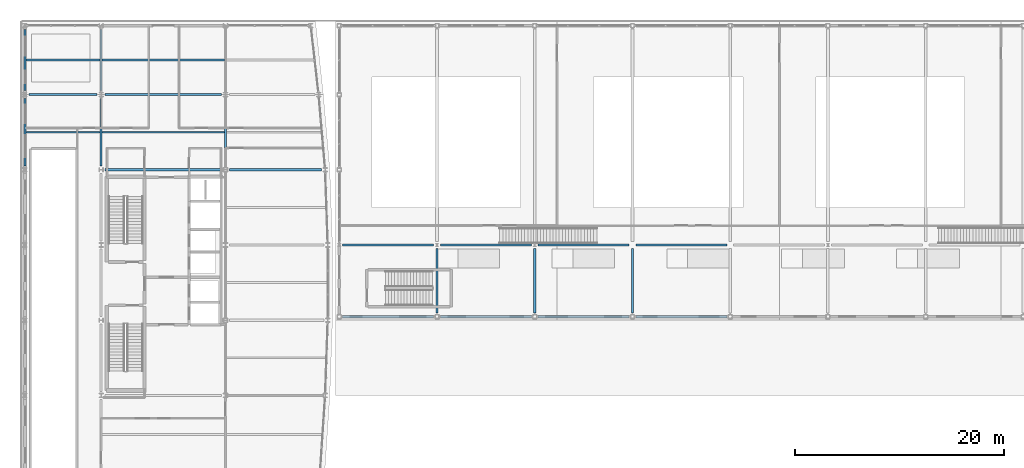
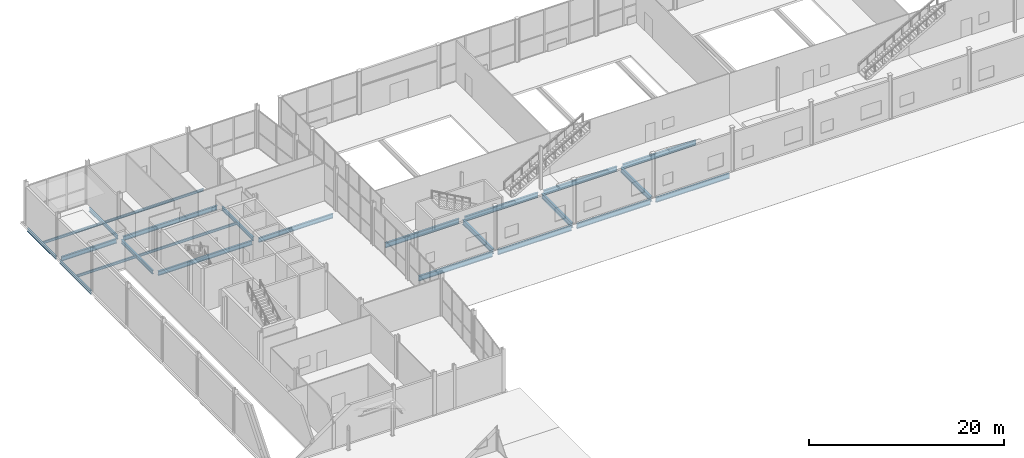
# One storey, part 31 of 83: 24 beams.
"""IFC4 building model written with IfcOpenShell, lengths in metres."""

from ifc_helpers import new_model, si_unit, direction, frame, origin, origin_2d, place, context, subcontext, project, spatial, i_section, extrude, material, material_profile, profile_set, type_object, element, save


model = new_model("IFC4")

# Units and contexts
model_context = context("Model", 3, precision=1e-05, world=origin(), true_north=direction((0.0, 1.0)))
body_context = subcontext(model_context, "Body", "Model", "MODEL_VIEW")
ifc_project = project(units=[si_unit("LENGTHUNIT", "METRE"), si_unit("AREAUNIT", "SQUARE_METRE"), si_unit("VOLUMEUNIT", "CUBIC_METRE"), si_unit("PLANEANGLEUNIT", "RADIAN"), si_unit("MASSUNIT", "GRAM", prefix="KILO")], contexts=[model_context])

# Site, building, storey
site_placement = place(None, origin())
site = spatial("IfcSite", under=ifc_project, at=site_placement, CompositionType="ELEMENT")
building_placement = place(site_placement, origin())
building = spatial("IfcBuilding", under=site, at=building_placement, Name="Quillay Park Conservatory", CompositionType="ELEMENT")
storey_placement = place(building_placement, origin())
storey = spatial("IfcBuildingStorey", under=building, at=storey_placement, Name="L00", CompositionType="ELEMENT", Elevation=0.0)

# Beams
ifc_material_1 = material(Name="Steel ASTM A992 Grade 50", Category="steel")
ifc_material_profile_1 = material_profile(ifc_material_1, i_section(OverallWidth=0.166015625, OverallDepth=0.31298828125, WebThickness=0.006591796875, FlangeThickness=0.01123046875, FilletRadius=0.010009765625, at=origin_2d()), Name="W310x45")
ifc_profile_set_1 = profile_set([ifc_material_profile_1], Name="Steel ASTM A992 Grade 50")
beam_type_1 = type_object("IfcBeamType", Name="COMPOSITE FLOOR JOIST W310 X45", PredefinedType="JOIST", material=ifc_profile_set_1)
beam_1_placement = place(storey_placement, frame((0.639892578125, 103.199951171875, -0.406494140625), z_axis=(1.0, 0.0, 0.0), x_axis=(0.0, 1.0, 0.0)))
element("IfcBeam", 1, at=beam_1_placement, inside=storey, type_object=beam_type_1, Name="L00 beam BM-J-0098", PredefinedType="JOIST", context=body_context, shape_type="SweptSolid", body=[
    extrude(i_section(OverallWidth=0.166015625, OverallDepth=0.31298828125, WebThickness=0.006591796875, FlangeThickness=0.01123046875, FilletRadius=0.010009765625, at=origin_2d()), origin(), (0.0, 0.0, 1.0), 7.114013671875),
])
beam_2_placement = place(storey_placement, frame((7.946044921875, 103.199951171875, -0.406494140625), z_axis=(1.0, 0.0, 0.0), x_axis=(0.0, 1.0, 0.0)))
element("IfcBeam", 2, at=beam_2_placement, inside=storey, type_object=beam_type_1, Name="L00 beam BM-J-0100", PredefinedType="JOIST", context=body_context, shape_type="SweptSolid", body=[
    extrude(i_section(OverallWidth=0.166015625, OverallDepth=0.31298828125, WebThickness=0.006591796875, FlangeThickness=0.01123046875, FilletRadius=0.010009765625, at=origin_2d()), origin(), (0.0, 0.0, 1.0), 11.7080078125),
])
beam_3_placement = place(storey_placement, frame((0.639892578125, 110.10009765625, -0.406494140625), z_axis=(1.0, 0.0, 0.0), x_axis=(0.0, 1.0, 0.0)))
element("IfcBeam", 3, at=beam_3_placement, inside=storey, type_object=beam_type_1, Name="L00 beam BM-J-0105", PredefinedType="JOIST", context=body_context, shape_type="SweptSolid", body=[
    extrude(i_section(OverallWidth=0.166015625, OverallDepth=0.31298828125, WebThickness=0.006591796875, FlangeThickness=0.01123046875, FilletRadius=0.010009765625, at=origin_2d()), origin(), (0.0, 0.0, 1.0), 7.114013671875),
])
beam_4_placement = place(storey_placement, frame((7.946044921875, 110.10009765625, -0.406494140625), z_axis=(1.0, 0.0, 0.0), x_axis=(0.0, 1.0, 0.0)))
element("IfcBeam", 4, at=beam_4_placement, inside=storey, type_object=beam_type_1, Name="L00 beam BM-J-0107", PredefinedType="JOIST", context=body_context, shape_type="SweptSolid", body=[
    extrude(i_section(OverallWidth=0.166015625, OverallDepth=0.31298828125, WebThickness=0.006591796875, FlangeThickness=0.01123046875, FilletRadius=0.010009765625, at=origin_2d()), origin(), (0.0, 0.0, 1.0), 11.7080078125),
])
ifc_material_2 = material(Name="Steel ASTM A992 Grade 50", Category="steel")
ifc_material_profile_2 = material_profile(ifc_material_2, i_section(OverallWidth=0.179931640625, OverallDepth=0.4130859375, WebThickness=0.009765625, FlangeThickness=0.01611328125, FilletRadius=0.011962890625, at=origin_2d()), Name="W410x74")
ifc_profile_set_2 = profile_set([ifc_material_profile_2], Name="Steel ASTM A992 Grade 50")
beam_type_2 = type_object("IfcBeamType", Name="PERIMETER SPANDREL BEAM W410 X74", PredefinedType="SPANDREL", material=ifc_profile_set_2)
beam_5_placement = place(storey_placement, frame((0.550048828125, 99.97509765625, -0.45654296875), z_axis=(0.0, 1.0, 0.0), x_axis=(-1.0, 0.0, 0.0)))
element("IfcBeam", 5, at=beam_5_placement, inside=storey, type_object=beam_type_2, Name="L00 beam BM-SPW-0094", PredefinedType="SPANDREL", context=body_context, shape_type="SweptSolid", body=[
    extrude(i_section(OverallWidth=0.179931640625, OverallDepth=0.4130859375, WebThickness=0.009765625, FlangeThickness=0.01611328125, FilletRadius=0.011962890625, at=origin_2d()), origin(), (0.0, 0.0, 1.0), 6.449951171875),
])
beam_6_placement = place(storey_placement, frame((0.550048828125, 107.175048828125, -0.45654296875), z_axis=(0.0, 1.0, 0.0), x_axis=(-1.0, 0.0, 0.0)))
element("IfcBeam", 6, at=beam_6_placement, inside=storey, type_object=beam_type_2, Name="L00 beam BM-SPW-0101", PredefinedType="SPANDREL", context=body_context, shape_type="SweptSolid", body=[
    extrude(i_section(OverallWidth=0.179931640625, OverallDepth=0.4130859375, WebThickness=0.009765625, FlangeThickness=0.01611328125, FilletRadius=0.011962890625, at=origin_2d()), origin(), (0.0, 0.0, 1.0), 5.849853515625),
])
ifc_material_3 = material(Name="Steel ASTM A992 Grade 50", Category="steel")
ifc_material_profile_3 = material_profile(ifc_material_3, i_section(OverallWidth=0.19189453125, OverallDepth=0.462890625, WebThickness=0.010498046875, FlangeThickness=0.017578125, FilletRadius=0.012939453125, at=origin_2d()), Name="W460x89")
ifc_profile_set_3 = profile_set([ifc_material_profile_3], Name="Steel ASTM A992 Grade 50")
beam_type_3 = type_object("IfcBeamType", Name="PRIMARY FLOOR GIRDER W460 X89", PredefinedType="BEAM", material=ifc_profile_set_3)
for number, where, z_axis, x_axis, name in (
    (7, (7.85009765625, 99.97509765625, -0.4814453125), (0.0, 1.0, 0.0), (-1.0, 0.0, 0.0), "L00 beam BM-GNS-0096"),
    (8, (19.75, 99.97509765625, -0.4814453125), (0.0, 1.0, 0.0), (-1.0, 0.0, 0.0), "L00 beam BM-GNS-0097"),
):
    element("IfcBeam", number, at=place(storey_placement, frame(where, z_axis=z_axis, x_axis=x_axis)), inside=storey, type_object=beam_type_3, Name=name, PredefinedType="BEAM", context=body_context, shape_type="SweptSolid", body=[
        extrude(i_section(OverallWidth=0.19189453125, OverallDepth=0.462890625, WebThickness=0.010498046875, FlangeThickness=0.017578125, FilletRadius=0.012939453125, at=origin_2d()), origin(), (0.0, 0.0, 1.0), 6.449951171875),
    ])
beam_7_placement = place(storey_placement, frame((7.85009765625, 107.175048828125, -0.4814453125), z_axis=(0.0, 1.0, 0.0), x_axis=(-1.0, 0.0, 0.0)))
element("IfcBeam", 9, at=beam_7_placement, inside=storey, type_object=beam_type_3, Name="L00 beam BM-GNS-0103", PredefinedType="BEAM", context=body_context, shape_type="SweptSolid", body=[
    extrude(i_section(OverallWidth=0.19189453125, OverallDepth=0.462890625, WebThickness=0.010498046875, FlangeThickness=0.017578125, FilletRadius=0.012939453125, at=origin_2d()), origin(), (0.0, 0.0, 1.0), 5.849853515625),
])
ifc_material_4 = material(Name="Steel ASTM A992 Grade 50", Category="steel")
ifc_material_profile_4 = material_profile(ifc_material_4, i_section(OverallWidth=0.2109375, OverallDepth=0.5390625, WebThickness=0.01171875, FlangeThickness=0.018798828125, FilletRadius=0.013916015625, at=origin_2d()), Name="W530x109")
ifc_profile_set_4 = profile_set([ifc_material_profile_4], Name="Steel ASTM A992 Grade 50")
beam_type_4 = type_object("IfcBeamType", Name="PRIMARY FLOOR GIRDER W530 X109", PredefinedType="BEAM", material=ifc_profile_set_4)
beam_8_placement = place(storey_placement, frame((8.22509765625, 99.60009765625, -0.51953125), z_axis=(1.0, 0.0, 0.0), x_axis=(0.0, 1.0, 0.0)))
element("IfcBeam", 10, at=beam_8_placement, inside=storey, type_object=beam_type_4, Name="L00 beam BM-G-0059", PredefinedType="BEAM", context=body_context, shape_type="SweptSolid", body=[
    extrude(i_section(OverallWidth=0.2109375, OverallDepth=0.5390625, WebThickness=0.01171875, FlangeThickness=0.018798828125, FilletRadius=0.013916015625, at=origin_2d()), origin(), (0.0, 0.0, 1.0), 11.14990234375),
])
beam_9_placement = place(storey_placement, frame((20.125, 99.60009765625, -0.51953125), z_axis=(1.0, 0.0, 0.0), x_axis=(0.0, 1.0, 0.0)))
element("IfcBeam", 11, at=beam_9_placement, inside=storey, type_object=beam_type_4, Name="L00 beam BM-G-0060", PredefinedType="BEAM", context=body_context, shape_type="SweptSolid", body=[
    extrude(i_section(OverallWidth=0.2109375, OverallDepth=0.5390625, WebThickness=0.01171875, FlangeThickness=0.018798828125, FilletRadius=0.013916015625, at=origin_2d()), origin(), (0.0, 0.0, 1.0), 8.800048828125),
])
beam_10_placement = place(storey_placement, frame((0.925048828125, 106.800048828125, -0.51953125), z_axis=(1.0, 0.0, 0.0), x_axis=(0.0, 1.0, 0.0)))
element("IfcBeam", 12, at=beam_10_placement, inside=storey, type_object=beam_type_4, Name="L00 beam BM-G-0061", PredefinedType="BEAM", context=body_context, shape_type="SweptSolid", body=[
    extrude(i_section(OverallWidth=0.2109375, OverallDepth=0.5390625, WebThickness=0.01171875, FlangeThickness=0.018798828125, FilletRadius=0.013916015625, at=origin_2d()), origin(), (0.0, 0.0, 1.0), 6.550048828125),
])
beam_11_placement = place(storey_placement, frame((8.22509765625, 106.800048828125, -0.51953125), z_axis=(1.0, 0.0, 0.0), x_axis=(0.0, 1.0, 0.0)))
element("IfcBeam", 13, at=beam_11_placement, inside=storey, type_object=beam_type_4, Name="L00 beam BM-G-0062", PredefinedType="BEAM", context=body_context, shape_type="SweptSolid", body=[
    extrude(i_section(OverallWidth=0.2109375, OverallDepth=0.5390625, WebThickness=0.01171875, FlangeThickness=0.018798828125, FilletRadius=0.013916015625, at=origin_2d()), origin(), (0.0, 0.0, 1.0), 11.14990234375),
])
ifc_material_5 = material(Name="Steel ASTM A992 Grade 50", Category="steel")
ifc_material_profile_5 = material_profile(ifc_material_5, i_section(OverallWidth=0.22998046875, OverallDepth=0.616943359375, WebThickness=0.01318359375, FlangeThickness=0.022216796875, FilletRadius=0.014892578125, at=origin_2d()), Name="W610x140")
ifc_profile_set_5 = profile_set([ifc_material_profile_5], Name="Steel ASTM A992 Grade 50")
beam_type_5 = type_object("IfcBeamType", Name="PRIMARY FLOOR GIRDER W610 X140", PredefinedType="BEAM", material=ifc_profile_set_5)
for number, where, z_axis, x_axis, name in (
    (14, (30.97509765625, 85.550048828125, -0.58837890625), (1.0, 0.0, 0.0), (0.0, 1.0, 0.0), "L00 beam BM-V1L0-1602"),
    (15, (40.33056640625, 85.550048828125, -0.58837890625), (1.0, 0.0, 0.0), (0.0, 1.0, 0.0), "L00 beam BM-V1L0-1603"),
    (16, (49.68603515625, 85.550048828125, -0.58837890625), (1.0, 0.0, 0.0), (0.0, 1.0, 0.0), "L00 beam BM-V1L0-1604"),
    (17, (59.041748046875, 85.550048828125, -0.58837890625), (1.0, 0.0, 0.0), (0.0, 1.0, 0.0), "L00 beam BM-V1L0-1605"),
    (18, (30.97509765625, 92.39990234375, -0.58837890625), (1.0, 0.0, 0.0), (0.0, 1.0, 0.0), "L00 beam BM-V1L0-1611"),
    (19, (40.33056640625, 92.39990234375, -0.58837890625), (1.0, 0.0, 0.0), (0.0, 1.0, 0.0), "L00 beam BM-V1L0-1612"),
    (20, (49.68603515625, 92.39990234375, -0.58837890625), (1.0, 0.0, 0.0), (0.0, 1.0, 0.0), "L00 beam BM-V1L0-1613"),
    (21, (59.041748046875, 92.39990234375, -0.58837890625), (1.0, 0.0, 0.0), (0.0, 1.0, 0.0), "L00 beam BM-V1L0-1614"),
):
    element("IfcBeam", number, at=place(storey_placement, frame(where, z_axis=z_axis, x_axis=x_axis)), inside=storey, type_object=beam_type_5, Name=name, PredefinedType="BEAM", context=body_context, shape_type="SweptSolid", body=[
        extrude(i_section(OverallWidth=0.22998046875, OverallDepth=0.616943359375, WebThickness=0.01318359375, FlangeThickness=0.022216796875, FilletRadius=0.014892578125, at=origin_2d()), origin(), (0.0, 0.0, 1.0), 8.70556640625),
    ])
for number, where, z_axis, x_axis, name in (
    (22, (40.005615234375, 85.875, -0.58837890625), (0.0, 1.0, 0.0), (-1.0, 0.0, 0.0), "L00 beam BM-V1T0-1631"),
    (23, (49.361083984375, 85.875, -0.58837890625), (0.0, 1.0, 0.0), (-1.0, 0.0, 0.0), "L00 beam BM-V1T0-1633"),
    (24, (58.716796875, 85.875, -0.58837890625), (0.0, 1.0, 0.0), (-1.0, 0.0, 0.0), "L00 beam BM-V1T0-1635"),
):
    element("IfcBeam", number, at=place(storey_placement, frame(where, z_axis=z_axis, x_axis=x_axis)), inside=storey, type_object=beam_type_5, Name=name, PredefinedType="BEAM", context=body_context, shape_type="SweptSolid", body=[
        extrude(i_section(OverallWidth=0.22998046875, OverallDepth=0.616943359375, WebThickness=0.01318359375, FlangeThickness=0.022216796875, FilletRadius=0.014892578125, at=origin_2d()), origin(), (0.0, 0.0, 1.0), 6.199951171875),
    ])

save(model, "model.ifc")
